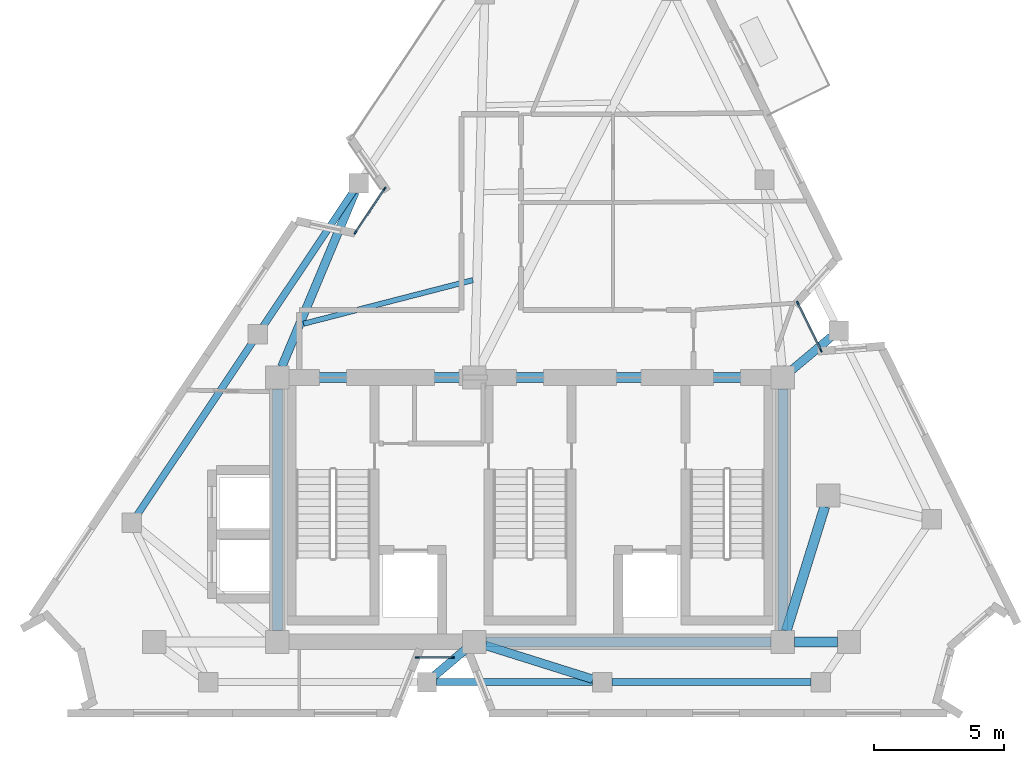
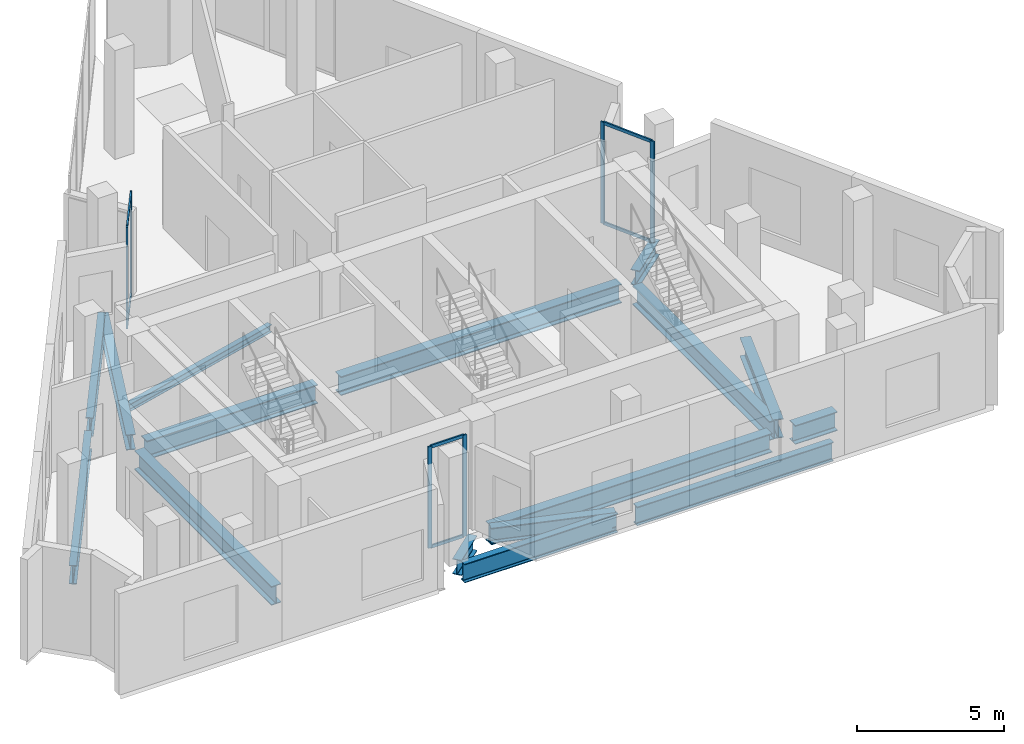
# One storey, part 2 of 8: 16 beams, 12 members, 3 elements without a shape of their own.
"""IFC4 building model written with IfcOpenShell, lengths in metres."""

from ifc_helpers import new_model, si_unit, direction, frame, origin, origin_2d, place, context, subcontext, project, spatial, rectangle, i_section, extrude, material, layer, layer_set, material_profile, profile_set, type_object, element, aggregate, save


model = new_model("IFC4")

# Units and contexts
model_context = context("Model", 3, precision=1e-05, world=origin(), true_north=direction((0.0, 1.0)))
body_context = subcontext(model_context, "Body", "Model", "MODEL_VIEW")
ifc_project = project(units=[si_unit("LENGTHUNIT", "METRE"), si_unit("AREAUNIT", "SQUARE_METRE"), si_unit("VOLUMEUNIT", "CUBIC_METRE"), si_unit("PLANEANGLEUNIT", "RADIAN"), si_unit("MASSUNIT", "GRAM", prefix="KILO")], contexts=[model_context])

# Site, building, storey
site_placement = place(None, origin())
site = spatial("IfcSite", under=ifc_project, at=site_placement, CompositionType="ELEMENT")
building_placement = place(site_placement, origin())
building = spatial("IfcBuilding", under=site, at=building_placement, Name="Almagre Mirador Tower", CompositionType="ELEMENT")
storey_placement = place(building_placement, frame((0.0, 0.0, 294.0)))
storey = spatial("IfcBuildingStorey", under=building, at=storey_placement, Name="L76", CompositionType="ELEMENT", Elevation=294.0)

# Beams
ifc_material_1 = material(Name="Steel ASTM A992 Grade 50", Category="steel")
ifc_material_profile_1 = material_profile(ifc_material_1, i_section(OverallWidth=0.205078125, OverallDepth=0.31005859375, WebThickness=0.009521484375, FlangeThickness=0.016357421875, FilletRadius=0.013916015625, at=origin_2d()), Name="W12X50")
ifc_profile_set_1 = profile_set([ifc_material_profile_1], Name="Steel ASTM A992 Grade 50")
beam_type_1 = type_object("IfcBeamType", Name="BM-JST-W12X50", PredefinedType="JOIST", material=ifc_profile_set_1)
beam_1_placement = place(storey_placement, frame((35.093505859375, 18.5068359375, -0.455078125), z_axis=(-0.968327865439, -0.249682087893, 0.0), x_axis=(0.249682087893, -0.968327865439, 0.0)))
element("IfcBeam", 1, at=beam_1_placement, inside=storey, type_object=beam_type_1, Name="L76 secondary floor joist PC09-PC10.3", PredefinedType="JOIST", context=body_context, shape_type="SweptSolid", body=[
    extrude(i_section(OverallWidth=0.205078125, OverallDepth=0.31005859375, WebThickness=0.009521484375, FlangeThickness=0.016357421875, FilletRadius=0.013916015625, at=origin_2d()), origin(), (0.0, 0.0, 1.0), 6.745849609375),
])
ifc_material_2 = material(Name="Steel ASTM A992 Grade 50", Category="steel")
ifc_material_profile_2 = material_profile(ifc_material_2, i_section(OverallWidth=0.26708984375, OverallDepth=0.779052734375, WebThickness=0.0166015625, FlangeThickness=0.030029296875, FilletRadius=0.02392578125, at=origin_2d()), Name="W30X148")
ifc_profile_set_2 = profile_set([ifc_material_profile_2], Name="Steel ASTM A992 Grade 50")
beam_type_2 = type_object("IfcBeamType", Name="BM-SPN-W30X148", PredefinedType="SPANDREL", material=ifc_profile_set_2)
beam_2_placement = place(storey_placement, frame((33.698974609375, 3.0, -0.689453125), z_axis=(1.0, 0.0, 0.0), x_axis=(0.0, 1.0, 0.0)))
element("IfcBeam", 2, at=beam_2_placement, inside=storey, type_object=beam_type_2, Name="L76 perimeter spandrel beam PC02-PC03", PredefinedType="SPANDREL", context=body_context, shape_type="SweptSolid", body=[
    extrude(i_section(OverallWidth=0.26708984375, OverallDepth=0.779052734375, WebThickness=0.0166015625, FlangeThickness=0.030029296875, FilletRadius=0.02392578125, at=origin_2d()), origin(), (0.0, 0.0, 1.0), 6.001953125),
])
beam_3_placement = place(storey_placement, frame((40.450927734375, 3.0, -0.689453125), z_axis=(1.0, 0.0, 0.0), x_axis=(0.0, 1.0, 0.0)))
element("IfcBeam", 3, at=beam_3_placement, inside=storey, type_object=beam_type_2, Name="L76 perimeter spandrel beam PC03-PC04", PredefinedType="SPANDREL", context=body_context, shape_type="SweptSolid", body=[
    extrude(i_section(OverallWidth=0.26708984375, OverallDepth=0.779052734375, WebThickness=0.0166015625, FlangeThickness=0.030029296875, FilletRadius=0.02392578125, at=origin_2d()), origin(), (0.0, 0.0, 1.0), 7.690185546875),
])
beam_4_placement = place(storey_placement, frame((30.48388671875, 21.93408203125, -0.689453125), z_axis=(-0.555240722479, -0.831689689789, 0.0), x_axis=(0.831689689789, -0.555240722479, 0.0)))
element("IfcBeam", 4, at=beam_4_placement, inside=storey, type_object=beam_type_2, Name="L76 perimeter spandrel beam PC10-PC11", PredefinedType="SPANDREL", context=body_context, shape_type="SweptSolid", body=[
    extrude(i_section(OverallWidth=0.26708984375, OverallDepth=0.779052734375, WebThickness=0.0166015625, FlangeThickness=0.030029296875, FilletRadius=0.02392578125, at=origin_2d()), origin(), (0.0, 0.0, 1.0), 6.252685546875),
])
beam_5_placement = place(storey_placement, frame((26.595703125, 16.110107421875, -0.689453125), z_axis=(-0.555228061938, -0.831698141898, 0.0), x_axis=(0.831698141898, -0.555228061938, 0.0)))
element("IfcBeam", 5, at=beam_5_placement, inside=storey, type_object=beam_type_2, Name="L76 perimeter spandrel beam PC11-PC12", PredefinedType="SPANDREL", context=body_context, shape_type="SweptSolid", body=[
    extrude(i_section(OverallWidth=0.26708984375, OverallDepth=0.779052734375, WebThickness=0.0166015625, FlangeThickness=0.030029296875, FilletRadius=0.02392578125, at=origin_2d()), origin(), (0.0, 0.0, 1.0), 8.003173828125),
])
ifc_material_3 = material(Name="Steel ASTM A992 Grade 50", Category="steel")
ifc_material_profile_3 = material_profile(ifc_material_3, i_section(OverallWidth=0.330078125, OverallDepth=0.635009765625, WebThickness=0.017822265625, FlangeThickness=0.031005859375, FilletRadius=0.02001953125, at=origin_2d()), Name="W24X162")
ifc_profile_set_3 = profile_set([ifc_material_profile_3], Name="Steel ASTM A992 Grade 50")
beam_type_3 = type_object("IfcBeamType", Name="BM-STL-W24X162", PredefinedType="BEAM", material=ifc_profile_set_3)
beam_6_placement = place(storey_placement, frame((33.60986328125, 3.24267578125, -0.617431640625), z_axis=(0.76236500019, 0.647147283457, 0.0), x_axis=(-0.647147283457, 0.76236500019, 0.0)))
element("IfcBeam", 6, at=beam_6_placement, inside=storey, type_object=beam_type_3, Name="L76 radial floor girder PC02-CC2", PredefinedType="BEAM", context=body_context, shape_type="SweptSolid", body=[
    extrude(i_section(OverallWidth=0.330078125, OverallDepth=0.635009765625, WebThickness=0.017822265625, FlangeThickness=0.031005859375, FilletRadius=0.02001953125, at=origin_2d()), origin(), (0.0, 0.0, 1.0), 1.570068359375),
])
beam_7_placement = place(storey_placement, frame((39.71826171875, 3.112548828125, -0.617431640625), z_axis=(-0.953898482719, 0.300129446518, 0.0), x_axis=(-0.300129446518, -0.953898482719, 0.0)))
element("IfcBeam", 7, at=beam_7_placement, inside=storey, type_object=beam_type_3, Name="L76 radial floor girder PC03-CC2", PredefinedType="BEAM", context=body_context, shape_type="SweptSolid", body=[
    extrude(i_section(OverallWidth=0.330078125, OverallDepth=0.635009765625, WebThickness=0.017822265625, FlangeThickness=0.031005859375, FilletRadius=0.02001953125, at=origin_2d()), origin(), (0.0, 0.0, 1.0), 4.3388671875),
])
beam_8_placement = place(storey_placement, frame((48.917724609375, 16.31689453125, -0.617431640625), z_axis=(-0.766123266272, -0.642693660212, 0.0), x_axis=(0.642693660212, -0.766123266272, 0.0)))
element("IfcBeam", 8, at=beam_8_placement, inside=storey, type_object=beam_type_3, Name="L76 radial floor girder PC06-CC6", PredefinedType="BEAM", context=body_context, shape_type="SweptSolid", body=[
    extrude(i_section(OverallWidth=0.330078125, OverallDepth=0.635009765625, WebThickness=0.017822265625, FlangeThickness=0.031005859375, FilletRadius=0.02001953125, at=origin_2d()), origin(), (0.0, 0.0, 1.0), 1.98779296875),
])
beam_9_placement = place(storey_placement, frame((30.547119140625, 21.900146484375, -0.617431640625), z_axis=(-0.386563420081, -0.922262827102, 0.0), x_axis=(0.922262827102, -0.386563420081, 0.0)))
element("IfcBeam", 9, at=beam_9_placement, inside=storey, type_object=beam_type_3, Name="L76 radial floor girder PC10-CC4", PredefinedType="BEAM", context=body_context, shape_type="SweptSolid", body=[
    extrude(i_section(OverallWidth=0.330078125, OverallDepth=0.635009765625, WebThickness=0.017822265625, FlangeThickness=0.031005859375, FilletRadius=0.02001953125, at=origin_2d()), origin(), (0.0, 0.0, 1.0), 7.302734375),
])
ifc_material_4 = material(Name="Steel ASTM A992 Grade 50", Category="steel")
ifc_material_profile_4 = material_profile(ifc_material_4, i_section(OverallWidth=0.384033203125, OverallDepth=0.784912109375, WebThickness=0.019775390625, FlangeThickness=0.033447265625, FilletRadius=0.02392578125, at=origin_2d()), Name="W30X211")
ifc_profile_set_4 = profile_set([ifc_material_profile_4], Name="Steel ASTM A992 Grade 50")
beam_type_4 = type_object("IfcBeamType", Name="BM-STL-W30X211", PredefinedType="BEAM", material=ifc_profile_set_4)
beam_10_placement = place(storey_placement, frame((35.60009765625, 4.550048828125, -0.6923828125), z_axis=(1.0, 0.0, 0.0), x_axis=(0.0, 1.0, 0.0)))
element("IfcBeam", 10, at=beam_10_placement, inside=storey, type_object=beam_type_4, Name="L76 core tie girder CC2-CC3", PredefinedType="BEAM", context=body_context, shape_type="SweptSolid", body=[
    extrude(i_section(OverallWidth=0.384033203125, OverallDepth=0.784912109375, WebThickness=0.019775390625, FlangeThickness=0.033447265625, FilletRadius=0.02392578125, at=origin_2d()), origin(), (0.0, 0.0, 1.0), 11.0),
])
beam_11_placement = place(storey_placement, frame((28.0, 14.75, -0.6923828125), z_axis=(1.0, 0.0, 0.0), x_axis=(0.0, 1.0, 0.0)))
element("IfcBeam", 11, at=beam_11_placement, inside=storey, type_object=beam_type_4, Name="L76 core tie girder CC4-CC5", PredefinedType="BEAM", context=body_context, shape_type="SweptSolid", body=[
    extrude(i_section(OverallWidth=0.384033203125, OverallDepth=0.784912109375, WebThickness=0.019775390625, FlangeThickness=0.033447265625, FilletRadius=0.02392578125, at=origin_2d()), origin(), (0.0, 0.0, 1.0), 6.699951171875),
])
beam_12_placement = place(storey_placement, frame((35.60009765625, 14.75, -0.6923828125), z_axis=(1.0, 0.0, 0.0), x_axis=(0.0, 1.0, 0.0)))
element("IfcBeam", 12, at=beam_12_placement, inside=storey, type_object=beam_type_4, Name="L76 core tie girder CC5-CC6", PredefinedType="BEAM", context=body_context, shape_type="SweptSolid", body=[
    extrude(i_section(OverallWidth=0.384033203125, OverallDepth=0.784912109375, WebThickness=0.019775390625, FlangeThickness=0.033447265625, FilletRadius=0.02392578125, at=origin_2d()), origin(), (0.0, 0.0, 1.0), 11.0),
])
for number, where, z_axis, x_axis, name in (
    (13, (27.550048828125, 5.0, -0.6923828125), (0.0, 1.0, 0.0), (-1.0, 0.0, 0.0), "L76 core tie girder CC1-CC4"),
    (14, (47.050048828125, 5.0, -0.6923828125), (0.0, 1.0, 0.0), (-1.0, 0.0, 0.0), "L76 core tie girder CC3-CC6"),
):
    element("IfcBeam", number, at=place(storey_placement, frame(where, z_axis=z_axis, x_axis=x_axis)), inside=storey, type_object=beam_type_4, Name=name, PredefinedType="BEAM", context=body_context, shape_type="SweptSolid", body=[
        extrude(i_section(OverallWidth=0.384033203125, OverallDepth=0.784912109375, WebThickness=0.019775390625, FlangeThickness=0.033447265625, FilletRadius=0.02392578125, at=origin_2d()), origin(), (0.0, 0.0, 1.0), 9.300048828125),
    ])
beam_13_placement = place(storey_placement, frame((49.14990234375, 4.550048828125, -0.6923828125), z_axis=(-1.0, 0.0, 0.0), x_axis=(0.0, -1.0, 0.0)))
element("IfcBeam", 15, at=beam_13_placement, inside=storey, type_object=beam_type_4, Name="L76 core tie girder MC2-CC3", PredefinedType="BEAM", context=body_context, shape_type="SweptSolid", body=[
    extrude(i_section(OverallWidth=0.384033203125, OverallDepth=0.784912109375, WebThickness=0.019775390625, FlangeThickness=0.033447265625, FilletRadius=0.02392578125, at=origin_2d()), origin(), (0.0, 0.0, 1.0), 1.64990234375),
])
beam_14_placement = place(storey_placement, frame((48.6669921875, 9.77001953125, -0.6923828125), z_axis=(-0.295912212866, -0.955215139263, 0.0), x_axis=(0.955215139263, -0.295912212866, 0.0)))
element("IfcBeam", 16, at=beam_14_placement, inside=storey, type_object=beam_type_4, Name="L76 core tie girder MC3-CC3", PredefinedType="BEAM", context=body_context, shape_type="SweptSolid", body=[
    extrude(i_section(OverallWidth=0.384033203125, OverallDepth=0.784912109375, WebThickness=0.019775390625, FlangeThickness=0.033447265625, FilletRadius=0.02392578125, at=origin_2d()), origin(), (0.0, 0.0, 1.0), 5.0146484375),
])

# Curtain wall, members
ifc_material_5 = material(Name="Black anodized aluminium", Category="aluminium")
ifc_layer = layer(ifc_material_5, 0.169921875)
ifc_layer_set = layer_set([ifc_layer], Name="Black anodized aluminium")
curtain_wall_type = type_object("IfcCurtainWallType", Name="CW-CRS-SYS", PredefinedType="NOTDEFINED", material=ifc_layer_set)
curtain_wall_1_placement = place(storey_placement, origin())
curtain_wall_1 = element("IfcCurtainWall", 17, at=curtain_wall_1_placement, inside=storey, type_object=curtain_wall_type, Name="L76 vertical crease curtain wall 01", PredefinedType="NOTDEFINED")
ifc_material_6 = material(Name="Black anodized aluminium", Category="aluminium")
ifc_material_profile_5 = material_profile(ifc_material_6, rectangle(XDim=0.06005859375, YDim=0.14990234375, at=origin_2d()), Name="CWM60X150")
ifc_profile_set_5 = profile_set([ifc_material_profile_5], Name="Black anodized aluminium")
member_type_1 = type_object("IfcMemberType", Name="MBR-CWM60X150", PredefinedType="MULLION", material=ifc_profile_set_5)
member_1_placement = place(storey_placement, frame((30.563720703125, 20.342041015625, 0.0), z_axis=(0.0, 0.0, 1.0), x_axis=(-0.831755672093, 0.555141875507, 0.0)))
member_1 = element("IfcMember", 18, at=member_1_placement, type_object=member_type_1, Name="CW-4 mullion 1", PredefinedType="MULLION", context=body_context, shape_type="SweptSolid", body=[
    extrude(rectangle(XDim=0.06005859375, YDim=0.14990234375, at=origin_2d()), origin(), (0.0, 0.0, 1.0), 4.199951171875),
])
member_2_placement = place(storey_placement, frame((31.6904296875, 22.030029296875, 0.0), z_axis=(0.0, 0.0, 1.0), x_axis=(-0.831755672093, 0.555141875507, 0.0)))
member_2 = element("IfcMember", 19, at=member_2_placement, type_object=member_type_1, Name="CW-4 mullion 2", PredefinedType="MULLION", context=body_context, shape_type="SweptSolid", body=[
    extrude(rectangle(XDim=0.06005859375, YDim=0.14990234375, at=origin_2d()), origin(), (0.0, 0.0, 1.0), 4.199951171875),
])

curtain_wall_2_placement = place(storey_placement, origin())
curtain_wall_2 = element("IfcCurtainWall", 20, at=curtain_wall_2_placement, inside=storey, type_object=curtain_wall_type, Name="L76 vertical crease curtain wall 05", PredefinedType="NOTDEFINED")
member_3_placement = place(storey_placement, frame((47.622314453125, 17.6240234375, 0.0), z_axis=(0.0, 0.0, 1.0), x_axis=(0.897374821647, 0.441269112304, 0.0)))
member_3 = element("IfcMember", 21, at=member_3_placement, type_object=member_type_1, Name="CW-4 mullion 1", PredefinedType="MULLION", context=body_context, shape_type="SweptSolid", body=[
    extrude(rectangle(XDim=0.06005859375, YDim=0.14990234375, at=origin_2d()), origin(), (0.0, 0.0, 1.0), 4.199951171875),
])
member_4_placement = place(storey_placement, frame((48.517822265625, 15.802978515625, 0.0), z_axis=(0.0, 0.0, 1.0), x_axis=(0.897374821647, 0.441269112304, 0.0)))
member_4 = element("IfcMember", 22, at=member_4_placement, type_object=member_type_1, Name="CW-4 mullion 2", PredefinedType="MULLION", context=body_context, shape_type="SweptSolid", body=[
    extrude(rectangle(XDim=0.06005859375, YDim=0.14990234375, at=origin_2d()), origin(), (0.0, 0.0, 1.0), 4.199951171875),
])

curtain_wall_3_placement = place(storey_placement, origin())
curtain_wall_3 = element("IfcCurtainWall", 23, at=curtain_wall_3_placement, inside=storey, type_object=curtain_wall_type, Name="L76 vertical crease curtain wall 06", PredefinedType="NOTDEFINED")
member_5_placement = place(storey_placement, frame((34.31005859375, 3.949951171875, 0.0), z_axis=(0.0, 0.0, 1.0), x_axis=(0.0, -1.0, 0.0)))
member_5 = element("IfcMember", 24, at=member_5_placement, type_object=member_type_1, Name="CW-4 mullion 1", PredefinedType="MULLION", context=body_context, shape_type="SweptSolid", body=[
    extrude(rectangle(XDim=0.06005859375, YDim=0.14990234375, at=origin_2d()), origin(), (0.0, 0.0, 1.0), 4.199951171875),
])
member_6_placement = place(storey_placement, frame((32.948974609375, 3.949951171875, 0.0), z_axis=(0.0, 0.0, 1.0), x_axis=(0.0, -1.0, 0.0)))
member_6 = element("IfcMember", 25, at=member_6_placement, type_object=member_type_1, Name="CW-4 mullion 2", PredefinedType="MULLION", context=body_context, shape_type="SweptSolid", body=[
    extrude(rectangle(XDim=0.06005859375, YDim=0.14990234375, at=origin_2d()), origin(), (0.0, 0.0, 1.0), 4.199951171875),
])

# Member
ifc_material_7 = material(Name="Black anodized aluminium", Category="aluminium")
ifc_material_profile_6 = material_profile(ifc_material_7, rectangle(XDim=0.06005859375, YDim=0.1298828125, at=origin_2d()), Name="CWT60X130")
ifc_profile_set_6 = profile_set([ifc_material_profile_6], Name="Black anodized aluminium")
member_type_2 = type_object("IfcMemberType", Name="MBR-CWT60X130", PredefinedType="USERDEFINED", material=ifc_profile_set_6)
member_7_placement = place(storey_placement, frame((30.580322265625, 20.366943359375, 0.030029296875), z_axis=(0.55510062371, 0.831783203459, 0.0), x_axis=(-0.831783203459, 0.55510062371, 0.0)))
member_7 = element("IfcMember", 26, at=member_7_placement, type_object=member_type_2, Name="CW-4 transom 1.1", ObjectType="TRANSOM", PredefinedType="USERDEFINED", context=body_context, shape_type="SweptSolid", body=[
    extrude(rectangle(XDim=0.06005859375, YDim=0.1298828125, at=origin_2d()), origin(), (0.0, 0.0, 1.0), 1.969482421875),
])

member_8_placement = place(storey_placement, frame((30.580322265625, 20.366943359375, 4.169921875), z_axis=(0.55510062371, 0.831783203459, 0.0), x_axis=(-0.831783203459, 0.55510062371, 0.0)))
member_8 = element("IfcMember", 27, at=member_8_placement, type_object=member_type_2, Name="CW-4 transom 1.2", ObjectType="TRANSOM", PredefinedType="USERDEFINED", context=body_context, shape_type="SweptSolid", body=[
    extrude(rectangle(XDim=0.06005859375, YDim=0.1298828125, at=origin_2d()), origin(), (0.0, 0.0, 1.0), 1.969482421875),
])

aggregate(curtain_wall_1, [member_1, member_2, member_7, member_8])

member_9_placement = place(storey_placement, frame((47.635498046875, 17.59716796875, 0.030029296875), z_axis=(0.441303291714, -0.897358013684, 0.0), x_axis=(0.897358013684, 0.441303291714, 0.0)))
member_9 = element("IfcMember", 28, at=member_9_placement, type_object=member_type_2, Name="CW-4 transom 1.1", ObjectType="TRANSOM", PredefinedType="USERDEFINED", context=body_context, shape_type="SweptSolid", body=[
    extrude(rectangle(XDim=0.06005859375, YDim=0.1298828125, at=origin_2d()), origin(), (0.0, 0.0, 1.0), 1.969482421875),
])

member_10_placement = place(storey_placement, frame((47.635498046875, 17.59716796875, 4.169921875), z_axis=(0.441303291714, -0.897358013684, 0.0), x_axis=(0.897358013684, 0.441303291714, 0.0)))
member_10 = element("IfcMember", 29, at=member_10_placement, type_object=member_type_2, Name="CW-4 transom 1.2", ObjectType="TRANSOM", PredefinedType="USERDEFINED", context=body_context, shape_type="SweptSolid", body=[
    extrude(rectangle(XDim=0.06005859375, YDim=0.1298828125, at=origin_2d()), origin(), (0.0, 0.0, 1.0), 1.969482421875),
])

aggregate(curtain_wall_2, [member_3, member_4, member_9, member_10])

member_11_placement = place(storey_placement, frame((34.280029296875, 3.949951171875, 0.030029296875), z_axis=(-1.0, 0.0, 0.0), x_axis=(0.0, -1.0, 0.0)))
member_11 = element("IfcMember", 30, at=member_11_placement, type_object=member_type_2, Name="CW-4 transom 1.1", ObjectType="TRANSOM", PredefinedType="USERDEFINED", context=body_context, shape_type="SweptSolid", body=[
    extrude(rectangle(XDim=0.06005859375, YDim=0.1298828125, at=origin_2d()), origin(), (0.0, 0.0, 1.0), 1.301025390625),
])

member_12_placement = place(storey_placement, frame((34.280029296875, 3.949951171875, 4.169921875), z_axis=(-1.0, 0.0, 0.0), x_axis=(0.0, -1.0, 0.0)))
member_12 = element("IfcMember", 31, at=member_12_placement, type_object=member_type_2, Name="CW-4 transom 1.2", ObjectType="TRANSOM", PredefinedType="USERDEFINED", context=body_context, shape_type="SweptSolid", body=[
    extrude(rectangle(XDim=0.06005859375, YDim=0.1298828125, at=origin_2d()), origin(), (0.0, 0.0, 1.0), 1.301025390625),
])

aggregate(curtain_wall_3, [member_5, member_6, member_11, member_12])

save(model, "model.ifc")
